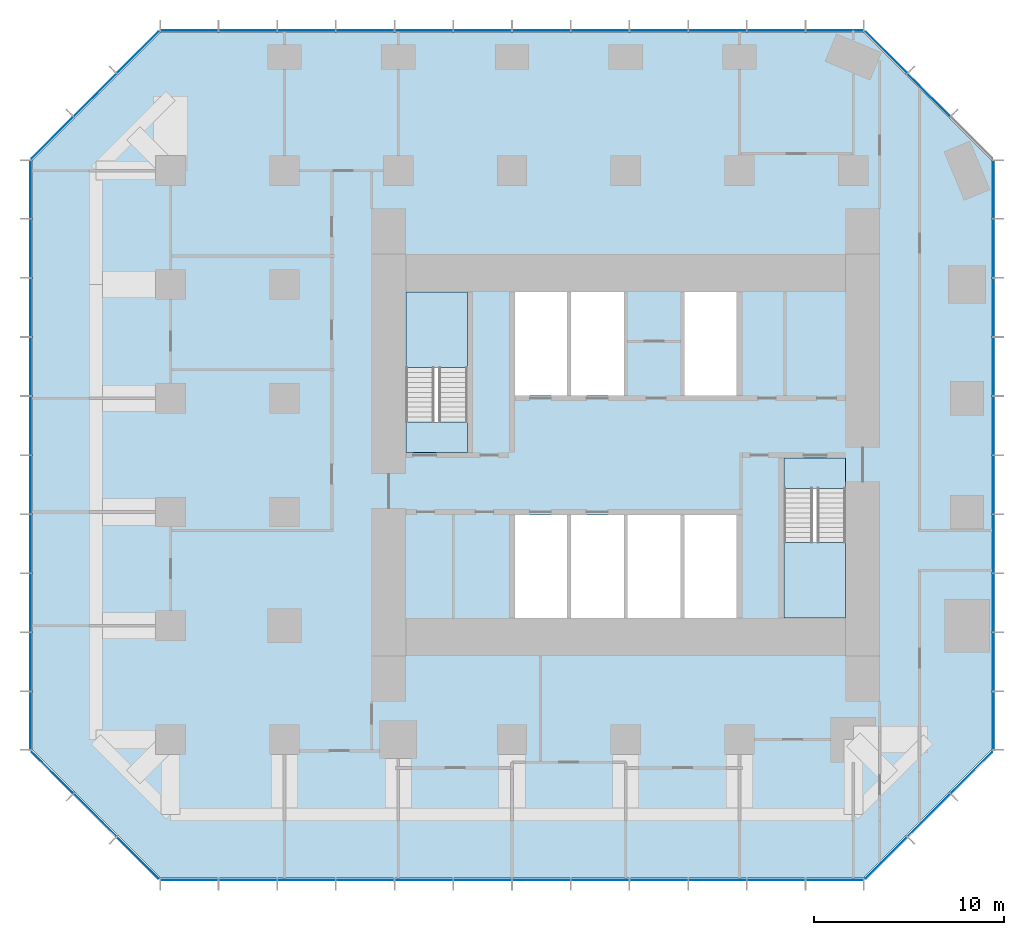
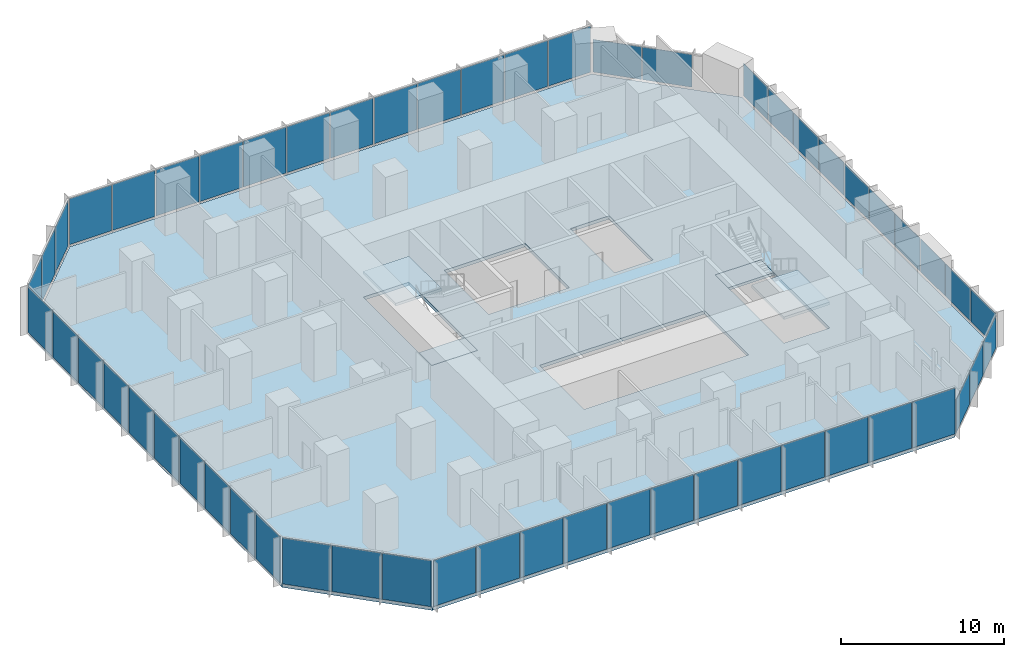
# One storey, part 8 of 13: 55 plates, 5 slabs, 10 elements without a shape of their own.
"""IFC4 building model written with IfcOpenShell, lengths in metres."""

from ifc_helpers import new_model, si_unit, direction, frame, origin, origin_2d, place, context, subcontext, project, spatial, polyline, rectangle, outline, extrude, material, layer, layer_set, type_object, element, aggregate, save


model = new_model("IFC4")

# Units and contexts
model_context = context("Model", 3, precision=1e-05, world=origin(), true_north=direction((0.0, 1.0)))
body_context = subcontext(model_context, "Body", "Model", "MODEL_VIEW")
ifc_project = project(units=[si_unit("LENGTHUNIT", "METRE"), si_unit("AREAUNIT", "SQUARE_METRE"), si_unit("VOLUMEUNIT", "CUBIC_METRE"), si_unit("PLANEANGLEUNIT", "RADIAN"), si_unit("MASSUNIT", "GRAM", prefix="KILO")], contexts=[model_context])

# Site, building, storey
site_placement = place(None, origin())
site = spatial("IfcSite", under=ifc_project, at=site_placement, CompositionType="ELEMENT")
building_placement = place(site_placement, origin())
building = spatial("IfcBuilding", under=site, at=building_placement, Name="Highveld Stack Headquarters", CompositionType="ELEMENT")
storey_placement = place(building_placement, frame((0.0, 0.0, 136.699951171875)))
storey = spatial("IfcBuildingStorey", under=building, at=storey_placement, Name="L33", CompositionType="ELEMENT", Elevation=136.699951171875)

# Curtain wall, plates
ifc_material_1 = material(Name="Aluminium bronze anodised", Category="aluminium")
ifc_layer_1 = layer(ifc_material_1, 0.199951171875)
ifc_layer_set_1 = layer_set([ifc_layer_1], Name="Aluminium bronze anodised")
curtain_wall_type_1 = type_object("IfcCurtainWallType", Name="CW1 TOWER UNITISED CURTAIN WALL", PredefinedType="NOTDEFINED", material=ifc_layer_set_1)
curtain_wall_1_placement = place(storey_placement, origin())
curtain_wall_1 = element("IfcCurtainWall", 1, at=curtain_wall_1_placement, inside=storey, type_object=curtain_wall_type_1, Name="Curtain wall CW1 L33 S", PredefinedType="NOTDEFINED")
ifc_material_2 = material(Name="Glass bronze tinted double glazed unit", Category="glass")
ifc_layer_2 = layer(ifc_material_2, 0.028076171875)
ifc_layer_set_2 = layer_set([ifc_layer_2], Name="Glass bronze tinted double glazed unit")
plate_type_1 = type_object("IfcPlateType", Name="CW1 PANEL BRONZE TINTED DOUBLE GLAZED UNIT", PredefinedType="CURTAIN_PANEL", material=ifc_layer_set_2)
plate_1_placement = place(storey_placement, frame((-17.015380859375, -19.39990234375, 0.10009765625), z_axis=(0.0, 0.0, 1.0), x_axis=(1.0, 0.0, 0.0)))
plate_1 = element("IfcPlate", 2, at=plate_1_placement, type_object=plate_type_1, Name="CW1 panel L33 1.1", PredefinedType="CURTAIN_PANEL", context=body_context, shape_type="SweptSolid", body=[
    extrude(rectangle(XDim=2.9990234375, YDim=0.028076171875, at=origin_2d()), origin(), (0.0, 0.0, 1.0), 3.449951171875),
])
plate_2_placement = place(storey_placement, frame((-13.934814453125, -19.39990234375, 0.10009765625), z_axis=(0.0, 0.0, 1.0), x_axis=(1.0, 0.0, 0.0)))
plate_2 = element("IfcPlate", 3, at=plate_2_placement, type_object=plate_type_1, Name="CW1 panel L33 2.1", PredefinedType="CURTAIN_PANEL", context=body_context, shape_type="SweptSolid", body=[
    extrude(rectangle(XDim=3.031494140625, YDim=0.028076171875, at=origin_2d()), origin(), (0.0, 0.0, 1.0), 3.449951171875),
])
plate_3_placement = place(storey_placement, frame((-10.83837890625, -19.39990234375, 0.10009765625), z_axis=(0.0, 0.0, 1.0), x_axis=(1.0, 0.0, 0.0)))
plate_3 = element("IfcPlate", 4, at=plate_3_placement, type_object=plate_type_1, Name="CW1 panel L33 3.1", PredefinedType="CURTAIN_PANEL", context=body_context, shape_type="SweptSolid", body=[
    extrude(rectangle(XDim=3.031494140625, YDim=0.028076171875, at=origin_2d()), origin(), (0.0, 0.0, 1.0), 3.449951171875),
])
plate_4_placement = place(storey_placement, frame((-7.74169921875, -19.39990234375, 0.10009765625), z_axis=(0.0, 0.0, 1.0), x_axis=(1.0, 0.0, 0.0)))
plate_4 = element("IfcPlate", 5, at=plate_4_placement, type_object=plate_type_1, Name="CW1 panel L33 4.1", PredefinedType="CURTAIN_PANEL", context=body_context, shape_type="SweptSolid", body=[
    extrude(rectangle(XDim=3.031494140625, YDim=0.028076171875, at=origin_2d()), origin(), (0.0, 0.0, 1.0), 3.449951171875),
])
plate_5_placement = place(storey_placement, frame((-4.64501953125, -19.39990234375, 0.10009765625), z_axis=(0.0, 0.0, 1.0), x_axis=(1.0, 0.0, 0.0)))
plate_5 = element("IfcPlate", 6, at=plate_5_placement, type_object=plate_type_1, Name="CW1 panel L33 5.1", PredefinedType="CURTAIN_PANEL", context=body_context, shape_type="SweptSolid", body=[
    extrude(rectangle(XDim=3.031494140625, YDim=0.028076171875, at=origin_2d()), origin(), (0.0, 0.0, 1.0), 3.449951171875),
])
plate_6_placement = place(storey_placement, frame((-1.54833984375, -19.39990234375, 0.10009765625), z_axis=(0.0, 0.0, 1.0), x_axis=(1.0, 0.0, 0.0)))
plate_6 = element("IfcPlate", 7, at=plate_6_placement, type_object=plate_type_1, Name="CW1 panel L33 6.1", PredefinedType="CURTAIN_PANEL", context=body_context, shape_type="SweptSolid", body=[
    extrude(rectangle(XDim=3.031494140625, YDim=0.028076171875, at=origin_2d()), origin(), (0.0, 0.0, 1.0), 3.449951171875),
])
plate_7_placement = place(storey_placement, frame((1.54833984375, -19.39990234375, 0.10009765625), z_axis=(0.0, 0.0, 1.0), x_axis=(1.0, 0.0, 0.0)))
plate_7 = element("IfcPlate", 8, at=plate_7_placement, type_object=plate_type_1, Name="CW1 panel L33 7.1", PredefinedType="CURTAIN_PANEL", context=body_context, shape_type="SweptSolid", body=[
    extrude(rectangle(XDim=3.03173828125, YDim=0.028076171875, at=origin_2d()), origin(), (0.0, 0.0, 1.0), 3.449951171875),
])
plate_8_placement = place(storey_placement, frame((4.64501953125, -19.39990234375, 0.10009765625), z_axis=(0.0, 0.0, 1.0), x_axis=(1.0, 0.0, 0.0)))
plate_8 = element("IfcPlate", 9, at=plate_8_placement, type_object=plate_type_1, Name="CW1 panel L33 8.1", PredefinedType="CURTAIN_PANEL", context=body_context, shape_type="SweptSolid", body=[
    extrude(rectangle(XDim=3.03173828125, YDim=0.028076171875, at=origin_2d()), origin(), (0.0, 0.0, 1.0), 3.449951171875),
])
plate_9_placement = place(storey_placement, frame((7.74169921875, -19.39990234375, 0.10009765625), z_axis=(0.0, 0.0, 1.0), x_axis=(1.0, 0.0, 0.0)))
plate_9 = element("IfcPlate", 10, at=plate_9_placement, type_object=plate_type_1, Name="CW1 panel L33 9.1", PredefinedType="CURTAIN_PANEL", context=body_context, shape_type="SweptSolid", body=[
    extrude(rectangle(XDim=3.03173828125, YDim=0.028076171875, at=origin_2d()), origin(), (0.0, 0.0, 1.0), 3.449951171875),
])
plate_10_placement = place(storey_placement, frame((10.83837890625, -19.39990234375, 0.10009765625), z_axis=(0.0, 0.0, 1.0), x_axis=(1.0, 0.0, 0.0)))
plate_10 = element("IfcPlate", 11, at=plate_10_placement, type_object=plate_type_1, Name="CW1 panel L33 10.1", PredefinedType="CURTAIN_PANEL", context=body_context, shape_type="SweptSolid", body=[
    extrude(rectangle(XDim=3.03173828125, YDim=0.028076171875, at=origin_2d()), origin(), (0.0, 0.0, 1.0), 3.449951171875),
])
plate_11_placement = place(storey_placement, frame((13.934814453125, -19.39990234375, 0.10009765625), z_axis=(0.0, 0.0, 1.0), x_axis=(1.0, 0.0, 0.0)))
plate_11 = element("IfcPlate", 12, at=plate_11_placement, type_object=plate_type_1, Name="CW1 panel L33 11.1", PredefinedType="CURTAIN_PANEL", context=body_context, shape_type="SweptSolid", body=[
    extrude(rectangle(XDim=3.03173828125, YDim=0.028076171875, at=origin_2d()), origin(), (0.0, 0.0, 1.0), 3.449951171875),
])
plate_12_placement = place(storey_placement, frame((17.015380859375, -19.39990234375, 0.10009765625), z_axis=(0.0, 0.0, 1.0), x_axis=(1.0, 0.0, 0.0)))
plate_12 = element("IfcPlate", 13, at=plate_12_placement, type_object=plate_type_1, Name="CW1 panel L33 12.1", PredefinedType="CURTAIN_PANEL", context=body_context, shape_type="SweptSolid", body=[
    extrude(rectangle(XDim=2.999267578125, YDim=0.028076171875, at=origin_2d()), origin(), (0.0, 0.0, 1.0), 3.449951171875),
])
aggregate(curtain_wall_1, [plate_1, plate_2, plate_3, plate_4, plate_5, plate_6, plate_7, plate_8, plate_9, plate_10, plate_11, plate_12])

curtain_wall_2_placement = place(storey_placement, origin())
curtain_wall_2 = element("IfcCurtainWall", 14, at=curtain_wall_2_placement, inside=storey, type_object=curtain_wall_type_1, Name="Curtain wall CW1 L33 E", PredefinedType="NOTDEFINED")
plate_13_placement = place(storey_placement, frame((25.39990234375, -11.005615234375, 0.10009765625), z_axis=(0.0, 0.0, 1.0), x_axis=(0.0, 1.0, 0.0)))
plate_13 = element("IfcPlate", 15, at=plate_13_placement, type_object=plate_type_1, Name="CW1 panel L33 1.1", PredefinedType="CURTAIN_PANEL", context=body_context, shape_type="SweptSolid", body=[
    extrude(rectangle(XDim=3.0185546875, YDim=0.028076171875, at=origin_2d()), origin(), (0.0, 0.0, 1.0), 2.449951171875),
])
plate_14_placement = place(storey_placement, frame((25.39990234375, -7.906005859375, 0.10009765625), z_axis=(0.0, 0.0, 1.0), x_axis=(0.0, 1.0, 0.0)))
plate_14 = element("IfcPlate", 16, at=plate_14_placement, type_object=plate_type_1, Name="CW1 panel L33 2.1", PredefinedType="CURTAIN_PANEL", context=body_context, shape_type="SweptSolid", body=[
    extrude(rectangle(XDim=3.051025390625, YDim=0.028076171875, at=origin_2d()), origin(), (0.0, 0.0, 1.0), 2.449951171875),
])
plate_15_placement = place(storey_placement, frame((25.39990234375, -4.7900390625, 0.10009765625), z_axis=(0.0, 0.0, 1.0), x_axis=(0.0, 1.0, 0.0)))
plate_15 = element("IfcPlate", 17, at=plate_15_placement, type_object=plate_type_1, Name="CW1 panel L33 3.1", PredefinedType="CURTAIN_PANEL", context=body_context, shape_type="SweptSolid", body=[
    extrude(rectangle(XDim=3.051025390625, YDim=0.028076171875, at=origin_2d()), origin(), (0.0, 0.0, 1.0), 2.449951171875),
])
plate_16_placement = place(storey_placement, frame((25.39990234375, -1.674072265625, 0.10009765625), z_axis=(0.0, 0.0, 1.0), x_axis=(0.0, 1.0, 0.0)))
plate_16 = element("IfcPlate", 18, at=plate_16_placement, type_object=plate_type_1, Name="CW1 panel L33 4.1", PredefinedType="CURTAIN_PANEL", context=body_context, shape_type="SweptSolid", body=[
    extrude(rectangle(XDim=3.051025390625, YDim=0.028076171875, at=origin_2d()), origin(), (0.0, 0.0, 1.0), 2.449951171875),
])
plate_17_placement = place(storey_placement, frame((25.39990234375, 1.44189453125, 0.10009765625), z_axis=(0.0, 0.0, 1.0), x_axis=(0.0, 1.0, 0.0)))
plate_17 = element("IfcPlate", 19, at=plate_17_placement, type_object=plate_type_1, Name="CW1 panel L33 5.1", PredefinedType="CURTAIN_PANEL", context=body_context, shape_type="SweptSolid", body=[
    extrude(rectangle(XDim=3.051025390625, YDim=0.028076171875, at=origin_2d()), origin(), (0.0, 0.0, 1.0), 2.449951171875),
])
plate_18_placement = place(storey_placement, frame((25.39990234375, 4.55810546875, 0.10009765625), z_axis=(0.0, 0.0, 1.0), x_axis=(0.0, 1.0, 0.0)))
plate_18 = element("IfcPlate", 20, at=plate_18_placement, type_object=plate_type_1, Name="CW1 panel L33 6.1", PredefinedType="CURTAIN_PANEL", context=body_context, shape_type="SweptSolid", body=[
    extrude(rectangle(XDim=3.051025390625, YDim=0.028076171875, at=origin_2d()), origin(), (0.0, 0.0, 1.0), 2.449951171875),
])
plate_19_placement = place(storey_placement, frame((25.39990234375, 7.674072265625, 0.10009765625), z_axis=(0.0, 0.0, 1.0), x_axis=(0.0, 1.0, 0.0)))
plate_19 = element("IfcPlate", 21, at=plate_19_placement, type_object=plate_type_1, Name="CW1 panel L33 7.1", PredefinedType="CURTAIN_PANEL", context=body_context, shape_type="SweptSolid", body=[
    extrude(rectangle(XDim=3.051025390625, YDim=0.028076171875, at=origin_2d()), origin(), (0.0, 0.0, 1.0), 2.449951171875),
])
plate_20_placement = place(storey_placement, frame((25.39990234375, 10.789794921875, 0.10009765625), z_axis=(0.0, 0.0, 1.0), x_axis=(0.0, 1.0, 0.0)))
plate_20 = element("IfcPlate", 22, at=plate_20_placement, type_object=plate_type_1, Name="CW1 panel L33 8.1", PredefinedType="CURTAIN_PANEL", context=body_context, shape_type="SweptSolid", body=[
    extrude(rectangle(XDim=3.051025390625, YDim=0.028076171875, at=origin_2d()), origin(), (0.0, 0.0, 1.0), 2.449951171875),
])
plate_21_placement = place(storey_placement, frame((25.39990234375, 13.906005859375, 0.10009765625), z_axis=(0.0, 0.0, 1.0), x_axis=(0.0, 1.0, 0.0)))
plate_21 = element("IfcPlate", 23, at=plate_21_placement, type_object=plate_type_1, Name="CW1 panel L33 9.1", PredefinedType="CURTAIN_PANEL", context=body_context, shape_type="SweptSolid", body=[
    extrude(rectangle(XDim=3.051025390625, YDim=0.028076171875, at=origin_2d()), origin(), (0.0, 0.0, 1.0), 2.449951171875),
])
plate_22_placement = place(storey_placement, frame((25.39990234375, 17.005615234375, 0.10009765625), z_axis=(0.0, 0.0, 1.0), x_axis=(0.0, 1.0, 0.0)))
plate_22 = element("IfcPlate", 24, at=plate_22_placement, type_object=plate_type_1, Name="CW1 panel L33 10.1", PredefinedType="CURTAIN_PANEL", context=body_context, shape_type="SweptSolid", body=[
    extrude(rectangle(XDim=3.0185546875, YDim=0.028076171875, at=origin_2d()), origin(), (0.0, 0.0, 1.0), 2.449951171875),
])
aggregate(curtain_wall_2, [plate_13, plate_14, plate_15, plate_16, plate_17, plate_18, plate_19, plate_20, plate_21, plate_22])

curtain_wall_3_placement = place(storey_placement, origin())
curtain_wall_3 = element("IfcCurtainWall", 25, at=curtain_wall_3_placement, inside=storey, type_object=curtain_wall_type_1, Name="Curtain wall CW1 L33 N", PredefinedType="NOTDEFINED")
plate_23_placement = place(storey_placement, frame((17.015380859375, 25.39990234375, 0.10009765625), z_axis=(0.0, 0.0, 1.0), x_axis=(-1.0, 0.0, 0.0)))
plate_23 = element("IfcPlate", 26, at=plate_23_placement, type_object=plate_type_1, Name="CW1 panel L33 1.1", PredefinedType="CURTAIN_PANEL", context=body_context, shape_type="SweptSolid", body=[
    extrude(rectangle(XDim=2.9990234375, YDim=0.028076171875, at=origin_2d()), origin(), (0.0, 0.0, 1.0), 3.449951171875),
])
plate_24_placement = place(storey_placement, frame((13.934814453125, 25.39990234375, 0.10009765625), z_axis=(0.0, 0.0, 1.0), x_axis=(-1.0, 0.0, 0.0)))
plate_24 = element("IfcPlate", 27, at=plate_24_placement, type_object=plate_type_1, Name="CW1 panel L33 2.1", PredefinedType="CURTAIN_PANEL", context=body_context, shape_type="SweptSolid", body=[
    extrude(rectangle(XDim=3.031494140625, YDim=0.028076171875, at=origin_2d()), origin(), (0.0, 0.0, 1.0), 3.449951171875),
])
plate_25_placement = place(storey_placement, frame((10.83837890625, 25.39990234375, 0.10009765625), z_axis=(0.0, 0.0, 1.0), x_axis=(-1.0, 0.0, 0.0)))
plate_25 = element("IfcPlate", 28, at=plate_25_placement, type_object=plate_type_1, Name="CW1 panel L33 3.1", PredefinedType="CURTAIN_PANEL", context=body_context, shape_type="SweptSolid", body=[
    extrude(rectangle(XDim=3.031494140625, YDim=0.028076171875, at=origin_2d()), origin(), (0.0, 0.0, 1.0), 3.449951171875),
])
plate_26_placement = place(storey_placement, frame((7.74169921875, 25.39990234375, 0.10009765625), z_axis=(0.0, 0.0, 1.0), x_axis=(-1.0, 0.0, 0.0)))
plate_26 = element("IfcPlate", 29, at=plate_26_placement, type_object=plate_type_1, Name="CW1 panel L33 4.1", PredefinedType="CURTAIN_PANEL", context=body_context, shape_type="SweptSolid", body=[
    extrude(rectangle(XDim=3.031494140625, YDim=0.028076171875, at=origin_2d()), origin(), (0.0, 0.0, 1.0), 3.449951171875),
])
plate_27_placement = place(storey_placement, frame((4.64501953125, 25.39990234375, 0.10009765625), z_axis=(0.0, 0.0, 1.0), x_axis=(-1.0, 0.0, 0.0)))
plate_27 = element("IfcPlate", 30, at=plate_27_placement, type_object=plate_type_1, Name="CW1 panel L33 5.1", PredefinedType="CURTAIN_PANEL", context=body_context, shape_type="SweptSolid", body=[
    extrude(rectangle(XDim=3.031494140625, YDim=0.028076171875, at=origin_2d()), origin(), (0.0, 0.0, 1.0), 3.449951171875),
])
plate_28_placement = place(storey_placement, frame((1.54833984375, 25.39990234375, 0.10009765625), z_axis=(0.0, 0.0, 1.0), x_axis=(-1.0, 0.0, 0.0)))
plate_28 = element("IfcPlate", 31, at=plate_28_placement, type_object=plate_type_1, Name="CW1 panel L33 6.1", PredefinedType="CURTAIN_PANEL", context=body_context, shape_type="SweptSolid", body=[
    extrude(rectangle(XDim=3.031494140625, YDim=0.028076171875, at=origin_2d()), origin(), (0.0, 0.0, 1.0), 3.449951171875),
])
plate_29_placement = place(storey_placement, frame((-1.54833984375, 25.39990234375, 0.10009765625), z_axis=(0.0, 0.0, 1.0), x_axis=(-1.0, 0.0, 0.0)))
plate_29 = element("IfcPlate", 32, at=plate_29_placement, type_object=plate_type_1, Name="CW1 panel L33 7.1", PredefinedType="CURTAIN_PANEL", context=body_context, shape_type="SweptSolid", body=[
    extrude(rectangle(XDim=3.03173828125, YDim=0.028076171875, at=origin_2d()), origin(), (0.0, 0.0, 1.0), 3.449951171875),
])
plate_30_placement = place(storey_placement, frame((-4.64501953125, 25.39990234375, 0.10009765625), z_axis=(0.0, 0.0, 1.0), x_axis=(-1.0, 0.0, 0.0)))
plate_30 = element("IfcPlate", 33, at=plate_30_placement, type_object=plate_type_1, Name="CW1 panel L33 8.1", PredefinedType="CURTAIN_PANEL", context=body_context, shape_type="SweptSolid", body=[
    extrude(rectangle(XDim=3.03173828125, YDim=0.028076171875, at=origin_2d()), origin(), (0.0, 0.0, 1.0), 3.449951171875),
])
plate_31_placement = place(storey_placement, frame((-7.74169921875, 25.39990234375, 0.10009765625), z_axis=(0.0, 0.0, 1.0), x_axis=(-1.0, 0.0, 0.0)))
plate_31 = element("IfcPlate", 34, at=plate_31_placement, type_object=plate_type_1, Name="CW1 panel L33 9.1", PredefinedType="CURTAIN_PANEL", context=body_context, shape_type="SweptSolid", body=[
    extrude(rectangle(XDim=3.03173828125, YDim=0.028076171875, at=origin_2d()), origin(), (0.0, 0.0, 1.0), 3.449951171875),
])
plate_32_placement = place(storey_placement, frame((-10.83837890625, 25.39990234375, 0.10009765625), z_axis=(0.0, 0.0, 1.0), x_axis=(-1.0, 0.0, 0.0)))
plate_32 = element("IfcPlate", 35, at=plate_32_placement, type_object=plate_type_1, Name="CW1 panel L33 10.1", PredefinedType="CURTAIN_PANEL", context=body_context, shape_type="SweptSolid", body=[
    extrude(rectangle(XDim=3.03173828125, YDim=0.028076171875, at=origin_2d()), origin(), (0.0, 0.0, 1.0), 3.449951171875),
])
plate_33_placement = place(storey_placement, frame((-13.934814453125, 25.39990234375, 0.10009765625), z_axis=(0.0, 0.0, 1.0), x_axis=(-1.0, 0.0, 0.0)))
plate_33 = element("IfcPlate", 36, at=plate_33_placement, type_object=plate_type_1, Name="CW1 panel L33 11.1", PredefinedType="CURTAIN_PANEL", context=body_context, shape_type="SweptSolid", body=[
    extrude(rectangle(XDim=3.03173828125, YDim=0.028076171875, at=origin_2d()), origin(), (0.0, 0.0, 1.0), 3.449951171875),
])
plate_34_placement = place(storey_placement, frame((-17.015380859375, 25.39990234375, 0.10009765625), z_axis=(0.0, 0.0, 1.0), x_axis=(-1.0, 0.0, 0.0)))
plate_34 = element("IfcPlate", 37, at=plate_34_placement, type_object=plate_type_1, Name="CW1 panel L33 12.1", PredefinedType="CURTAIN_PANEL", context=body_context, shape_type="SweptSolid", body=[
    extrude(rectangle(XDim=2.999267578125, YDim=0.028076171875, at=origin_2d()), origin(), (0.0, 0.0, 1.0), 3.449951171875),
])
aggregate(curtain_wall_3, [plate_23, plate_24, plate_25, plate_26, plate_27, plate_28, plate_29, plate_30, plate_31, plate_32, plate_33, plate_34])

curtain_wall_4_placement = place(storey_placement, origin())
curtain_wall_4 = element("IfcCurtainWall", 38, at=curtain_wall_4_placement, inside=storey, type_object=curtain_wall_type_1, Name="Curtain wall CW1 L33 W", PredefinedType="NOTDEFINED")
plate_35_placement = place(storey_placement, frame((-25.39990234375, 17.005615234375, 0.10009765625), z_axis=(0.0, 0.0, 1.0), x_axis=(0.0, -1.0, 0.0)))
plate_35 = element("IfcPlate", 39, at=plate_35_placement, type_object=plate_type_1, Name="CW1 panel L33 1.1", PredefinedType="CURTAIN_PANEL", context=body_context, shape_type="SweptSolid", body=[
    extrude(rectangle(XDim=3.0185546875, YDim=0.028076171875, at=origin_2d()), origin(), (0.0, 0.0, 1.0), 3.449951171875),
])
plate_36_placement = place(storey_placement, frame((-25.39990234375, 13.906005859375, 0.10009765625), z_axis=(0.0, 0.0, 1.0), x_axis=(0.0, -1.0, 0.0)))
plate_36 = element("IfcPlate", 40, at=plate_36_placement, type_object=plate_type_1, Name="CW1 panel L33 2.1", PredefinedType="CURTAIN_PANEL", context=body_context, shape_type="SweptSolid", body=[
    extrude(rectangle(XDim=3.051025390625, YDim=0.028076171875, at=origin_2d()), origin(), (0.0, 0.0, 1.0), 3.449951171875),
])
plate_37_placement = place(storey_placement, frame((-25.39990234375, 10.7900390625, 0.10009765625), z_axis=(0.0, 0.0, 1.0), x_axis=(0.0, -1.0, 0.0)))
plate_37 = element("IfcPlate", 41, at=plate_37_placement, type_object=plate_type_1, Name="CW1 panel L33 3.1", PredefinedType="CURTAIN_PANEL", context=body_context, shape_type="SweptSolid", body=[
    extrude(rectangle(XDim=3.051025390625, YDim=0.028076171875, at=origin_2d()), origin(), (0.0, 0.0, 1.0), 3.449951171875),
])
plate_38_placement = place(storey_placement, frame((-25.39990234375, 7.674072265625, 0.10009765625), z_axis=(0.0, 0.0, 1.0), x_axis=(0.0, -1.0, 0.0)))
plate_38 = element("IfcPlate", 42, at=plate_38_placement, type_object=plate_type_1, Name="CW1 panel L33 4.1", PredefinedType="CURTAIN_PANEL", context=body_context, shape_type="SweptSolid", body=[
    extrude(rectangle(XDim=3.051025390625, YDim=0.028076171875, at=origin_2d()), origin(), (0.0, 0.0, 1.0), 3.449951171875),
])
plate_39_placement = place(storey_placement, frame((-25.39990234375, 4.55810546875, 0.10009765625), z_axis=(0.0, 0.0, 1.0), x_axis=(0.0, -1.0, 0.0)))
plate_39 = element("IfcPlate", 43, at=plate_39_placement, type_object=plate_type_1, Name="CW1 panel L33 5.1", PredefinedType="CURTAIN_PANEL", context=body_context, shape_type="SweptSolid", body=[
    extrude(rectangle(XDim=3.051025390625, YDim=0.028076171875, at=origin_2d()), origin(), (0.0, 0.0, 1.0), 3.449951171875),
])
plate_40_placement = place(storey_placement, frame((-25.39990234375, 1.44189453125, 0.10009765625), z_axis=(0.0, 0.0, 1.0), x_axis=(0.0, -1.0, 0.0)))
plate_40 = element("IfcPlate", 44, at=plate_40_placement, type_object=plate_type_1, Name="CW1 panel L33 6.1", PredefinedType="CURTAIN_PANEL", context=body_context, shape_type="SweptSolid", body=[
    extrude(rectangle(XDim=3.051025390625, YDim=0.028076171875, at=origin_2d()), origin(), (0.0, 0.0, 1.0), 3.449951171875),
])
plate_41_placement = place(storey_placement, frame((-25.39990234375, -1.674072265625, 0.10009765625), z_axis=(0.0, 0.0, 1.0), x_axis=(0.0, -1.0, 0.0)))
plate_41 = element("IfcPlate", 45, at=plate_41_placement, type_object=plate_type_1, Name="CW1 panel L33 7.1", PredefinedType="CURTAIN_PANEL", context=body_context, shape_type="SweptSolid", body=[
    extrude(rectangle(XDim=3.051025390625, YDim=0.028076171875, at=origin_2d()), origin(), (0.0, 0.0, 1.0), 3.449951171875),
])
plate_42_placement = place(storey_placement, frame((-25.39990234375, -4.789794921875, 0.10009765625), z_axis=(0.0, 0.0, 1.0), x_axis=(0.0, -1.0, 0.0)))
plate_42 = element("IfcPlate", 46, at=plate_42_placement, type_object=plate_type_1, Name="CW1 panel L33 8.1", PredefinedType="CURTAIN_PANEL", context=body_context, shape_type="SweptSolid", body=[
    extrude(rectangle(XDim=3.051025390625, YDim=0.028076171875, at=origin_2d()), origin(), (0.0, 0.0, 1.0), 3.449951171875),
])
plate_43_placement = place(storey_placement, frame((-25.39990234375, -7.906005859375, 0.10009765625), z_axis=(0.0, 0.0, 1.0), x_axis=(0.0, -1.0, 0.0)))
plate_43 = element("IfcPlate", 47, at=plate_43_placement, type_object=plate_type_1, Name="CW1 panel L33 9.1", PredefinedType="CURTAIN_PANEL", context=body_context, shape_type="SweptSolid", body=[
    extrude(rectangle(XDim=3.051025390625, YDim=0.028076171875, at=origin_2d()), origin(), (0.0, 0.0, 1.0), 3.449951171875),
])
plate_44_placement = place(storey_placement, frame((-25.39990234375, -11.005615234375, 0.10009765625), z_axis=(0.0, 0.0, 1.0), x_axis=(0.0, -1.0, 0.0)))
plate_44 = element("IfcPlate", 48, at=plate_44_placement, type_object=plate_type_1, Name="CW1 panel L33 10.1", PredefinedType="CURTAIN_PANEL", context=body_context, shape_type="SweptSolid", body=[
    extrude(rectangle(XDim=3.0185546875, YDim=0.028076171875, at=origin_2d()), origin(), (0.0, 0.0, 1.0), 3.449951171875),
])
aggregate(curtain_wall_4, [plate_35, plate_36, plate_37, plate_38, plate_39, plate_40, plate_41, plate_42, plate_43, plate_44])

ifc_material_3 = material(Name="Aluminium bronze anodised", Category="aluminium")
ifc_layer_3 = layer(ifc_material_3, 0.199951171875)
ifc_layer_set_3 = layer_set([ifc_layer_3], Name="Aluminium bronze anodised")
curtain_wall_type_2 = type_object("IfcCurtainWallType", Name="CW2 TOWER CHAMFER UNITISED CURTAIN WALL", PredefinedType="NOTDEFINED", material=ifc_layer_set_3)
curtain_wall_5_placement = place(storey_placement, origin())
curtain_wall_5 = element("IfcCurtainWall", 49, at=curtain_wall_5_placement, inside=storey, type_object=curtain_wall_type_2, Name="Curtain wall CW2 L33 SE", PredefinedType="NOTDEFINED")
ifc_material_4 = material(Name="Glass bronze tinted double glazed unit", Category="glass")
ifc_layer_4 = layer(ifc_material_4, 0.028076171875)
ifc_layer_set_4 = layer_set([ifc_layer_4], Name="Glass bronze tinted double glazed unit")
plate_type_2 = type_object("IfcPlateType", Name="CW2 PANEL BRONZE TINTED DOUBLE GLAZED UNIT", PredefinedType="CURTAIN_PANEL", material=ifc_layer_set_4)
plate_45_placement = place(storey_placement, frame((19.740478515625, -18.239501953125, 0.10009765625), z_axis=(0.0, 0.0, 1.0), x_axis=(0.707106781187, 0.707106781187, 0.0)))
plate_45 = element("IfcPlate", 50, at=plate_45_placement, type_object=plate_type_2, Name="CW2 panel L33 1.1", PredefinedType="CURTAIN_PANEL", context=body_context, shape_type="SweptSolid", body=[
    extrude(rectangle(XDim=3.08251953125, YDim=0.028076171875, at=origin_2d()), origin(), (0.0, 0.0, 1.0), 2.449951171875),
])
plate_46_placement = place(storey_placement, frame((21.989990234375, -15.989990234375, 0.10009765625), z_axis=(0.0, 0.0, 1.0), x_axis=(0.707106781187, 0.707106781187, 0.0)))
plate_46 = element("IfcPlate", 51, at=plate_46_placement, type_object=plate_type_2, Name="CW2 panel L33 2.1", PredefinedType="CURTAIN_PANEL", context=body_context, shape_type="SweptSolid", body=[
    extrude(rectangle(XDim=3.14990234375, YDim=0.028076171875, at=origin_2d()), origin(), (0.0, 0.0, 1.0), 2.449951171875),
])
plate_47_placement = place(storey_placement, frame((24.239501953125, -13.740478515625, 0.10009765625), z_axis=(0.0, 0.0, 1.0), x_axis=(0.707106781187, 0.707106781187, 0.0)))
plate_47 = element("IfcPlate", 52, at=plate_47_placement, type_object=plate_type_2, Name="CW2 panel L33 3.1", PredefinedType="CURTAIN_PANEL", context=body_context, shape_type="SweptSolid", body=[
    extrude(rectangle(XDim=3.08251953125, YDim=0.028076171875, at=origin_2d()), origin(), (0.0, 0.0, 1.0), 2.449951171875),
])
aggregate(curtain_wall_5, [plate_45, plate_46, plate_47])

curtain_wall_6_placement = place(storey_placement, origin())
curtain_wall_6 = element("IfcCurtainWall", 53, at=curtain_wall_6_placement, inside=storey, type_object=curtain_wall_type_2, Name="Curtain wall CW2 L33 NE", PredefinedType="NOTDEFINED")
plate_48_placement = place(storey_placement, frame((21.989990234375, 21.989990234375, 0.10009765625), z_axis=(0.0, 0.0, 1.0), x_axis=(-0.707106781187, 0.707106781187, 0.0)))
plate_48 = element("IfcPlate", 54, at=plate_48_placement, type_object=plate_type_2, Name="CW2 panel L33 2.1", PredefinedType="CURTAIN_PANEL", context=body_context, shape_type="SweptSolid", body=[
    extrude(rectangle(XDim=3.14990234375, YDim=0.028076171875, at=origin_2d()), origin(), (0.0, 0.0, 1.0), 2.449951171875),
])
plate_49_placement = place(storey_placement, frame((19.740478515625, 24.239501953125, 0.10009765625), z_axis=(0.0, 0.0, 1.0), x_axis=(-0.707106781187, 0.707106781187, 0.0)))
plate_49 = element("IfcPlate", 55, at=plate_49_placement, type_object=plate_type_2, Name="CW2 panel L33 3.1", PredefinedType="CURTAIN_PANEL", context=body_context, shape_type="SweptSolid", body=[
    extrude(rectangle(XDim=3.08251953125, YDim=0.028076171875, at=origin_2d()), origin(), (0.0, 0.0, 1.0), 2.449951171875),
])
aggregate(curtain_wall_6, [plate_48, plate_49])

curtain_wall_7_placement = place(storey_placement, origin())
curtain_wall_7 = element("IfcCurtainWall", 56, at=curtain_wall_7_placement, inside=storey, type_object=curtain_wall_type_2, Name="Curtain wall CW2 L33 NW", PredefinedType="NOTDEFINED")
plate_50_placement = place(storey_placement, frame((-19.740478515625, 24.239501953125, 0.10009765625), z_axis=(0.0, 0.0, 1.0), x_axis=(-0.707106781187, -0.707106781187, 0.0)))
plate_50 = element("IfcPlate", 57, at=plate_50_placement, type_object=plate_type_2, Name="CW2 panel L33 1.1", PredefinedType="CURTAIN_PANEL", context=body_context, shape_type="SweptSolid", body=[
    extrude(rectangle(XDim=3.08251953125, YDim=0.028076171875, at=origin_2d()), origin(), (0.0, 0.0, 1.0), 3.449951171875),
])
plate_51_placement = place(storey_placement, frame((-21.989990234375, 21.989990234375, 0.10009765625), z_axis=(0.0, 0.0, 1.0), x_axis=(-0.707106781187, -0.707106781187, 0.0)))
plate_51 = element("IfcPlate", 58, at=plate_51_placement, type_object=plate_type_2, Name="CW2 panel L33 2.1", PredefinedType="CURTAIN_PANEL", context=body_context, shape_type="SweptSolid", body=[
    extrude(rectangle(XDim=3.14990234375, YDim=0.028076171875, at=origin_2d()), origin(), (0.0, 0.0, 1.0), 3.449951171875),
])
plate_52_placement = place(storey_placement, frame((-24.239501953125, 19.740478515625, 0.10009765625), z_axis=(0.0, 0.0, 1.0), x_axis=(-0.707106781187, -0.707106781187, 0.0)))
plate_52 = element("IfcPlate", 59, at=plate_52_placement, type_object=plate_type_2, Name="CW2 panel L33 3.1", PredefinedType="CURTAIN_PANEL", context=body_context, shape_type="SweptSolid", body=[
    extrude(rectangle(XDim=3.08251953125, YDim=0.028076171875, at=origin_2d()), origin(), (0.0, 0.0, 1.0), 3.449951171875),
])
aggregate(curtain_wall_7, [plate_50, plate_51, plate_52])

curtain_wall_8_placement = place(storey_placement, origin())
curtain_wall_8 = element("IfcCurtainWall", 60, at=curtain_wall_8_placement, inside=storey, type_object=curtain_wall_type_2, Name="Curtain wall CW2 L33 SW", PredefinedType="NOTDEFINED")
plate_53_placement = place(storey_placement, frame((-24.239501953125, -13.740478515625, 0.10009765625), z_axis=(0.0, 0.0, 1.0), x_axis=(0.707106781187, -0.707106781187, 0.0)))
plate_53 = element("IfcPlate", 61, at=plate_53_placement, type_object=plate_type_2, Name="CW2 panel L33 1.1", PredefinedType="CURTAIN_PANEL", context=body_context, shape_type="SweptSolid", body=[
    extrude(rectangle(XDim=3.08251953125, YDim=0.028076171875, at=origin_2d()), origin(), (0.0, 0.0, 1.0), 3.449951171875),
])
plate_54_placement = place(storey_placement, frame((-21.989990234375, -15.989990234375, 0.10009765625), z_axis=(0.0, 0.0, 1.0), x_axis=(0.707106781187, -0.707106781187, 0.0)))
plate_54 = element("IfcPlate", 62, at=plate_54_placement, type_object=plate_type_2, Name="CW2 panel L33 2.1", PredefinedType="CURTAIN_PANEL", context=body_context, shape_type="SweptSolid", body=[
    extrude(rectangle(XDim=3.14990234375, YDim=0.028076171875, at=origin_2d()), origin(), (0.0, 0.0, 1.0), 3.449951171875),
])
plate_55_placement = place(storey_placement, frame((-19.740478515625, -18.239501953125, 0.10009765625), z_axis=(0.0, 0.0, 1.0), x_axis=(0.707106781187, -0.707106781187, 0.0)))
plate_55 = element("IfcPlate", 63, at=plate_55_placement, type_object=plate_type_2, Name="CW2 panel L33 3.1", PredefinedType="CURTAIN_PANEL", context=body_context, shape_type="SweptSolid", body=[
    extrude(rectangle(XDim=3.08251953125, YDim=0.028076171875, at=origin_2d()), origin(), (0.0, 0.0, 1.0), 3.449951171875),
])
aggregate(curtain_wall_8, [plate_53, plate_54, plate_55])

# Slab
ifc_material_5 = material(Name="Concrete C60/75", Category="concrete")
ifc_layer_5 = layer(ifc_material_5, 0.25)
ifc_layer_set_5 = layer_set([ifc_layer_5], Name="Concrete C60/75")
slab_type_1 = type_object("IfcSlabType", Name="PT FLAT SLAB 250", PredefinedType="FLOOR", material=ifc_layer_set_5)
slab_1_placement = place(storey_placement, frame((0.0, 0.0, -0.25)))
element("IfcSlab", 64, at=slab_1_placement, inside=storey, type_object=slab_type_1, Name="Floor slab L33", PredefinedType="FLOOR", context=body_context, shape_type="SweptSolid", body=[
    extrude(outline(polyline([(-18.53857421875, -19.300048828125), (18.53857421875, -19.300048828125), (25.300048828125, -12.53857421875), (25.300048828125, 18.53857421875), (18.53857421875, 25.300048828125), (-18.53857421875, 25.300048828125), (-25.300048828125, 18.53857421875), (-25.300048828125, -12.53857421875), (-18.53857421875, -19.300048828125)]), holes=[polyline([(0.14990234375, 6.14990234375), (5.89990234375, 6.14990234375), (5.89990234375, 11.60009765625), (0.14990234375, 11.60009765625), (0.14990234375, 6.14990234375)]), polyline([(9.10009765625, 6.14990234375), (11.85009765625, 6.14990234375), (11.85009765625, 11.60009765625), (9.10009765625, 11.60009765625), (9.10009765625, 6.14990234375)]), polyline([(0.14990234375, -5.60009765625), (11.85009765625, -5.60009765625), (11.85009765625, -0.14990234375), (0.14990234375, -0.14990234375), (0.14990234375, -5.60009765625)]), polyline([(-5.60009765625, 3.14990234375), (-2.35009765625, 3.14990234375), (-2.35009765625, 11.60009765625), (-5.60009765625, 11.60009765625), (-5.60009765625, 3.14990234375)]), polyline([(14.35009765625, -5.60009765625), (17.60009765625, -5.60009765625), (17.60009765625, 2.85009765625), (14.35009765625, 2.85009765625), (14.35009765625, -5.60009765625)])]), origin(), (0.0, 0.0, 1.0), 0.25),
])

# Stair, slabs
ifc_material_6 = material(Name="Concrete C40/50, precast", Category="concrete")
stair_type_1 = type_object("IfcStairType", Name="STAIR S1 HALF TURN 1500", PredefinedType="HALF_TURN_STAIR", material=ifc_material_6)
stair_1_placement = place(storey_placement, origin())
stair_1 = element("IfcStair", 65, at=stair_1_placement, inside=storey, type_object=stair_type_1, Name="Stair S1 L33", PredefinedType="HALF_TURN_STAIR")
ifc_material_7 = material(Name="Concrete C40/50, precast", Category="concrete")
ifc_layer_6 = layer(ifc_material_7, 0.199951171875)
ifc_layer_set_6 = layer_set([ifc_layer_6], Name="Concrete C40/50, precast")
slab_type_2 = type_object("IfcSlabType", Name="STAIR LANDING 200", PredefinedType="LANDING", material=ifc_layer_set_6)
slab_2_placement = place(storey_placement, frame((0.0, 0.0, 1.75)))
slab_2 = element("IfcSlab", 66, at=slab_2_placement, type_object=slab_type_2, Name="S1 landing 1", PredefinedType="LANDING", context=body_context, shape_type="SweptSolid", body=[
    extrude(outline(polyline([(-5.60009765625, 7.610107421875), (-2.35009765625, 7.610107421875), (-2.35009765625, 11.60009765625), (-5.60009765625, 11.60009765625), (-5.60009765625, 7.610107421875)])), origin(), (0.0, 0.0, 1.0), 0.199951171875),
])
slab_3_placement = place(storey_placement, frame((0.0, 0.0, -0.199951171875)))
slab_3 = element("IfcSlab", 67, at=slab_3_placement, type_object=slab_type_2, Name="S1 landing 2", PredefinedType="LANDING", context=body_context, shape_type="SweptSolid", body=[
    extrude(outline(polyline([(-5.60009765625, 3.14990234375), (-2.35009765625, 3.14990234375), (-2.35009765625, 4.75), (-5.60009765625, 4.75), (-5.60009765625, 3.14990234375)])), origin(), (0.0, 0.0, 1.0), 0.199951171875),
])
aggregate(stair_1, [slab_2, slab_3])

ifc_material_8 = material(Name="Concrete C40/50, precast", Category="concrete")
stair_type_2 = type_object("IfcStairType", Name="STAIR S2 HALF TURN 1500", PredefinedType="HALF_TURN_STAIR", material=ifc_material_8)
stair_2_placement = place(storey_placement, origin())
stair_2 = element("IfcStair", 68, at=stair_2_placement, inside=storey, type_object=stair_type_2, Name="Stair S2 L33", PredefinedType="HALF_TURN_STAIR")
slab_4_placement = place(storey_placement, frame((0.0, 0.0, 1.75)))
slab_4 = element("IfcSlab", 69, at=slab_4_placement, type_object=slab_type_2, Name="S2 landing 1", PredefinedType="LANDING", context=body_context, shape_type="SweptSolid", body=[
    extrude(outline(polyline([(14.35009765625, -5.60009765625), (17.60009765625, -5.60009765625), (17.60009765625, -1.610107421875), (14.35009765625, -1.610107421875), (14.35009765625, -5.60009765625)])), origin(), (0.0, 0.0, 1.0), 0.199951171875),
])
slab_5_placement = place(storey_placement, frame((0.0, 0.0, -0.199951171875)))
slab_5 = element("IfcSlab", 70, at=slab_5_placement, type_object=slab_type_2, Name="S2 landing 2", PredefinedType="LANDING", context=body_context, shape_type="SweptSolid", body=[
    extrude(outline(polyline([(14.35009765625, 1.25), (17.60009765625, 1.25), (17.60009765625, 2.85009765625), (14.35009765625, 2.85009765625), (14.35009765625, 1.25)])), origin(), (0.0, 0.0, 1.0), 0.199951171875),
])
aggregate(stair_2, [slab_4, slab_5])

save(model, "model.ifc")
